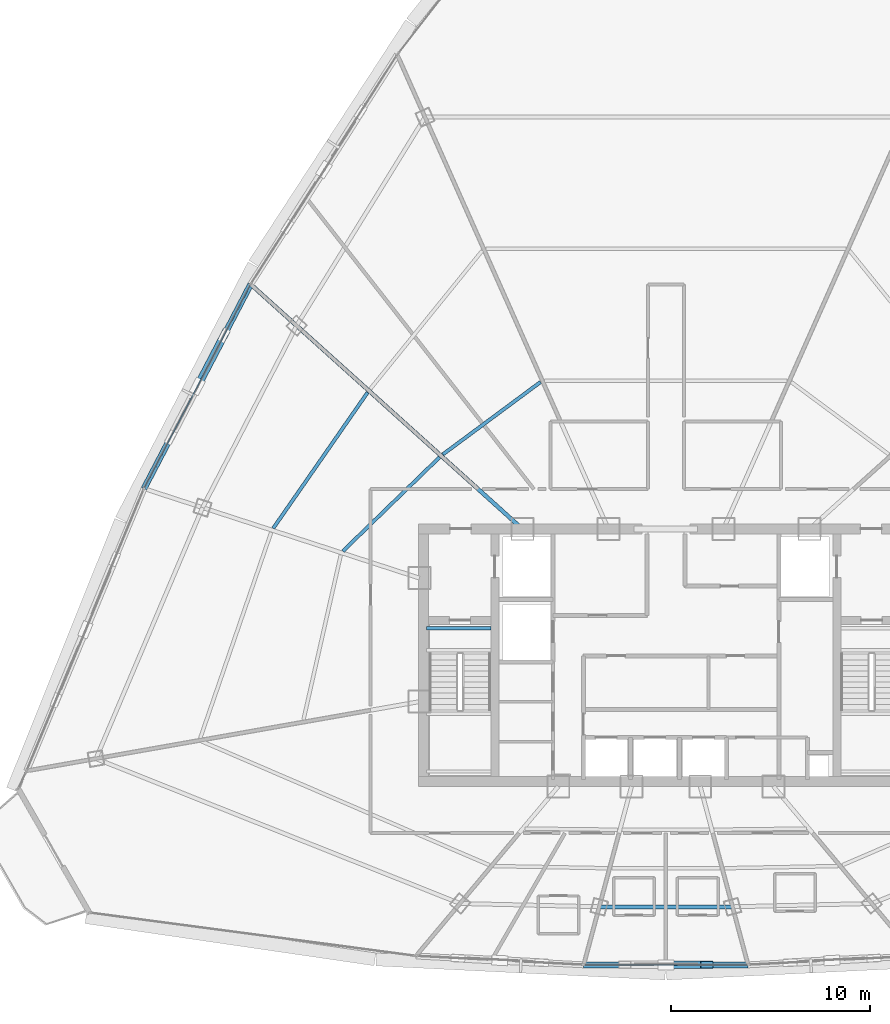
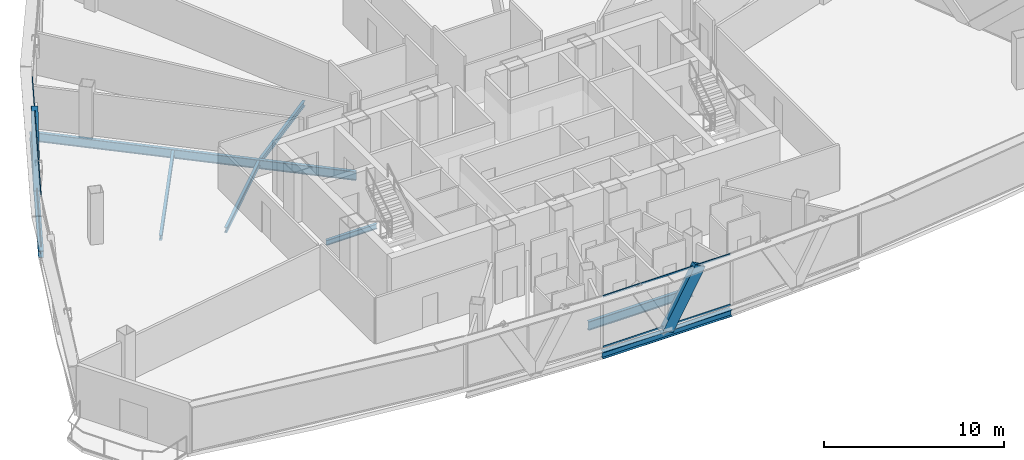
# One storey, part 9 of 37: 8 beams, 6 members, 2 elements without a shape of their own.
"""IFC4 building model written with IfcOpenShell, lengths in metres."""

from ifc_helpers import new_model, si_unit, direction, frame, origin, origin_2d, place, context, subcontext, project, spatial, hollow_rectangle, i_section, extrude, source, transform, mapped, material, layer, layer_set, material_profile, profile_set, type_object, element, aggregate, save


model = new_model("IFC4")

# Units and contexts
model_context = context("Model", 3, precision=1e-05, world=origin(), true_north=direction((0.0, 1.0)))
body_context = subcontext(model_context, "Body", "Model", "MODEL_VIEW")
ifc_project = project(units=[si_unit("LENGTHUNIT", "METRE"), si_unit("AREAUNIT", "SQUARE_METRE"), si_unit("VOLUMEUNIT", "CUBIC_METRE"), si_unit("PLANEANGLEUNIT", "RADIAN"), si_unit("MASSUNIT", "GRAM", prefix="KILO"), si_unit("THERMODYNAMICTEMPERATUREUNIT", "KELVIN"), si_unit("POWERUNIT", "WATT")], contexts=[model_context])

# Site, building, storey
site_placement = place(None, origin())
site = spatial("IfcSite", under=ifc_project, at=site_placement, CompositionType="ELEMENT")
building_placement = place(site_placement, origin())
building = spatial("IfcBuilding", under=site, at=building_placement, Name="Yunzhuo Pagoda Commons", CompositionType="ELEMENT")
storey_placement = place(building_placement, frame((0.0, 0.0, 281.2900390625)))
storey = spatial("IfcBuildingStorey", under=building, at=storey_placement, Name="L70", CompositionType="ELEMENT", Elevation=281.2900390625)

# Beams
ifc_material_1 = material(Name="Structural steel Q355B", Category="steel")
ifc_material_profile_1 = material_profile(ifc_material_1, i_section(OverallWidth=0.175048828125, OverallDepth=0.35009765625, WebThickness=0.007080078125, FlangeThickness=0.010986328125, at=origin_2d()), Name="Structural steel Q355B")
ifc_profile_set_1 = profile_set([ifc_material_profile_1], Name="Structural steel Q355B")
beam_type_1 = type_object("IfcBeamType", Name="B-JS2 Joist HN 350x175x7x11", PredefinedType="JOIST", material=ifc_profile_set_1)
shared_shape_1 = source(origin(), body_context, "Body", "SweptSolid", [
    extrude(i_section(OverallWidth=0.175048828125, OverallDepth=0.35009765625, WebThickness=0.007080078125, FlangeThickness=0.010986328125, at=origin_2d()), origin(), (0.0, 0.0, 1.0), 3.25),
])
beam_1_placement = place(storey_placement, frame((35.949951171875, 35.199951171875, -0.375), z_axis=(1.0, 0.0, 0.0), x_axis=(0.0, 1.0, 0.0)))
element("IfcBeam", 1, at=beam_1_placement, inside=storey, type_object=beam_type_1, Name="L70 ST1 landing support beam 174B", PredefinedType="JOIST", context=body_context, shape_type="MappedRepresentation", body=[
    mapped(shared_shape_1, transform((0.0, 0.0, 0.0), scale=1.0)),
])
ifc_material_profile_2 = material_profile(ifc_material_1, i_section(OverallWidth=0.300048828125, OverallDepth=0.43994140625, WebThickness=0.010986328125, FlangeThickness=0.01806640625, at=origin_2d()), Name="Structural steel Q355B")
ifc_profile_set_2 = profile_set([ifc_material_profile_2], Name="Structural steel Q355B")
beam_type_2 = type_object("IfcBeamType", Name="B-SP2 Beam HM 440x300x11x18", PredefinedType="BEAM", material=ifc_profile_set_2)
shared_shape_2 = source(origin(), body_context, "Body", "SweptSolid", [
    extrude(i_section(OverallWidth=0.300048828125, OverallDepth=0.43994140625, WebThickness=0.010986328125, FlangeThickness=0.01806640625, at=origin_2d()), origin(), (0.0, 0.0, 1.0), 8.26611328125),
])
beam_2_placement = place(storey_placement, frame((43.866943359375, 18.275390625, -0.47998046875), z_axis=(1.0, 0.0, 0.0), x_axis=(0.0, 1.0, 0.0)))
element("IfcBeam", 2, at=beam_2_placement, inside=storey, type_object=beam_type_2, Name="L70 facade edge spandrel beam F1.2", PredefinedType="BEAM", context=body_context, shape_type="MappedRepresentation", body=[
    mapped(shared_shape_2, transform((0.0, 0.0, 0.0), scale=1.0)),
])
shared_shape_3 = source(origin(), body_context, "Body", "SweptSolid", [
    extrude(i_section(OverallWidth=0.300048828125, OverallDepth=0.43994140625, WebThickness=0.010986328125, FlangeThickness=0.01806640625, at=origin_2d()), origin(), (0.0, 0.0, 1.0), 11.591064453125),
])
beam_3_placement = place(storey_placement, frame((27.117431640625, 52.5029296875, -0.47998046875), z_axis=(-0.462915805382, -0.886402254695, 0.0), x_axis=(0.886402254695, -0.462915805382, 0.0)))
element("IfcBeam", 3, at=beam_3_placement, inside=storey, type_object=beam_type_2, Name="L70 facade edge spandrel beam F3.2", PredefinedType="BEAM", context=body_context, shape_type="MappedRepresentation", body=[
    mapped(shared_shape_3, transform((0.0, 0.0, 0.0), scale=1.0)),
])
ifc_material_profile_3 = material_profile(ifc_material_1, i_section(OverallWidth=0.199951171875, OverallDepth=0.60009765625, WebThickness=0.010986328125, FlangeThickness=0.01708984375, at=origin_2d()), Name="Structural steel Q355B")
ifc_profile_set_3 = profile_set([ifc_material_profile_3], Name="Structural steel Q355B")
beam_type_3 = type_object("IfcBeamType", Name="B-RG3 Beam HN 600x200x11x17", PredefinedType="BEAM", material=ifc_profile_set_3)
shared_shape_4 = source(origin(), body_context, "Body", "SweptSolid", [
    extrude(i_section(OverallWidth=0.199951171875, OverallDepth=0.60009765625, WebThickness=0.010986328125, FlangeThickness=0.01708984375, at=origin_2d()), origin(), (0.0, 0.0, 1.0), 18.2314453125),
])
beam_4_placement = place(storey_placement, frame((27.232421875, 52.399169921875, -0.559814453125), z_axis=(0.743144309, -0.669131179964, 0.0), x_axis=(0.669131179964, 0.743144309, 0.0)))
element("IfcBeam", 4, at=beam_4_placement, inside=storey, type_object=beam_type_3, Name="L70 radial floor girder F3C2", PredefinedType="BEAM", context=body_context, shape_type="MappedRepresentation", body=[
    mapped(shared_shape_4, transform((0.0, 0.0, 0.0), scale=1.0)),
])
shared_shape_5 = source(origin(), body_context, "Body", "SweptSolid", [
    extrude(i_section(OverallWidth=0.199951171875, OverallDepth=0.60009765625, WebThickness=0.010986328125, FlangeThickness=0.01708984375, at=origin_2d()), origin(), (0.0, 0.0, 1.0), 6.701171875),
])
beam_5_placement = place(storey_placement, frame((44.6494140625, 21.195556640625, -0.559814453125), z_axis=(1.0, 0.0, 0.0), x_axis=(0.0, 1.0, 0.0)))
element("IfcBeam", 5, at=beam_5_placement, inside=storey, type_object=beam_type_3, Name="L70 column-ring beam 2", PredefinedType="BEAM", context=body_context, shape_type="MappedRepresentation", body=[
    mapped(shared_shape_5, transform((0.0, 0.0, 0.0), scale=1.0)),
])
shared_shape_6 = source(origin(), body_context, "Body", "SweptSolid", [
    extrude(i_section(OverallWidth=0.175048828125, OverallDepth=0.35009765625, WebThickness=0.007080078125, FlangeThickness=0.010986328125, at=origin_2d()), origin(), (0.0, 0.0, 1.0), 6.767333984375),
])
beam_6_placement = place(storey_placement, frame((36.611083984375, 43.80029296875, -0.434814453125), z_axis=(-0.717207253673, -0.696859925149, 0.0), x_axis=(0.696859925149, -0.717207253673, 0.0)))
element("IfcBeam", 6, at=beam_6_placement, inside=storey, type_object=beam_type_1, Name="L70 composite ring joist 1.10", PredefinedType="JOIST", context=body_context, shape_type="MappedRepresentation", body=[
    mapped(shared_shape_6, transform((0.0, 0.0, 0.0), scale=1.0)),
])
shared_shape_7 = source(origin(), body_context, "Body", "SweptSolid", [
    extrude(i_section(OverallWidth=0.175048828125, OverallDepth=0.35009765625, WebThickness=0.007080078125, FlangeThickness=0.010986328125, at=origin_2d()), origin(), (0.0, 0.0, 1.0), 8.31103515625),
])
beam_7_placement = place(storey_placement, frame((32.994384765625, 47.0576171875, -0.434814453125), z_axis=(-0.570615989364, -0.821217019236, 0.0), x_axis=(0.821217019236, -0.570615989364, 0.0)))
element("IfcBeam", 7, at=beam_7_placement, inside=storey, type_object=beam_type_1, Name="L70 composite ring joist 2.10", PredefinedType="JOIST", context=body_context, shape_type="MappedRepresentation", body=[
    mapped(shared_shape_7, transform((0.0, 0.0, 0.0), scale=1.0)),
])
shared_shape_8 = source(origin(), body_context, "Body", "SweptSolid", [
    extrude(i_section(OverallWidth=0.175048828125, OverallDepth=0.35009765625, WebThickness=0.007080078125, FlangeThickness=0.010986328125, at=origin_2d()), origin(), (0.0, 0.0, 1.0), 6.109619140625),
])
beam_8_placement = place(storey_placement, frame((41.6943359375, 47.5869140625, -0.434814453125), z_axis=(-0.803396474468, -0.595444459888, 0.0), x_axis=(0.595444459888, -0.803396474468, 0.0)))
element("IfcBeam", 8, at=beam_8_placement, inside=storey, type_object=beam_type_1, Name="L70 composite ring joist 1.9", PredefinedType="JOIST", context=body_context, shape_type="MappedRepresentation", body=[
    mapped(shared_shape_8, transform((0.0, 0.0, 0.0), scale=1.0)),
])

# Members
ifc_material_profile_4 = material_profile(ifc_material_1, hollow_rectangle(XDim=0.3798828125, YDim=0.719970703125, WallThickness=0.02001953125, at=origin_2d()), Name="Structural steel Q355B")
ifc_profile_set_4 = profile_set([ifc_material_profile_4], Name="Structural steel Q355B")
member_type_1 = type_object("IfcMemberType", Name="M-DL3 Brace BOX 720x380x20", PredefinedType="BRACE", material=ifc_profile_set_4)
shared_shape_9 = source(origin(), body_context, "Body", "SweptSolid", [
    extrude(hollow_rectangle(XDim=0.3798828125, YDim=0.719970703125, WallThickness=0.02001953125, at=origin_2d()), origin(), (0.0, 0.0, 1.0), 4.26416015625),
])
member_1_placement = place(storey_placement, frame((48.0, 18.275390625, -0.260009765625), z_axis=(0.4846022834, 0.0, 0.874734603708), x_axis=(0.0, 1.0, 0.0)))
element("IfcMember", 9, at=member_1_placement, inside=storey, type_object=member_type_1, Name="L70 facade diamond brace F1.2R", PredefinedType="BRACE", context=body_context, shape_type="MappedRepresentation", body=[
    mapped(shared_shape_9, transform((0.0, 0.0, 0.0), scale=1.0)),
])
shared_shape_10 = source(origin(), body_context, "Body", "SweptSolid", [
    extrude(hollow_rectangle(XDim=0.3798828125, YDim=0.719970703125, WallThickness=0.02001953125, at=origin_2d()), origin(), (0.0, 0.0, 1.0), 4.723388671875),
])
member_2_placement = place(storey_placement, frame((24.4345703125, 47.36572265625, -0.260009765625), z_axis=(0.283976852439, 0.543815155536, 0.78969755216), x_axis=(-0.886419539705, 0.462882706125, 0.0)))
element("IfcMember", 10, at=member_2_placement, inside=storey, type_object=member_type_1, Name="L70 facade diamond brace F3.2L", PredefinedType="BRACE", context=body_context, shape_type="MappedRepresentation", body=[
    mapped(shared_shape_10, transform((0.0, 0.0, 0.0), scale=1.0)),
])

# Curtain wall, members
ifc_material_2 = material(Name="Anodized aluminium 6063-T6", Category="aluminium")
ifc_layer = layer(ifc_material_2, 0.139892578125)
ifc_layer_set = layer_set([ifc_layer], Name="Anodized aluminium 6063-T6")
curtain_wall_type = type_object("IfcCurtainWallType", Name="CW-HI High-Zone Ribbon Curtain Wall", PredefinedType="NOTDEFINED", material=ifc_layer_set)
curtain_wall_1_placement = place(storey_placement, origin())
curtain_wall_1 = element("IfcCurtainWall", 11, at=curtain_wall_1_placement, inside=storey, type_object=curtain_wall_type, Name="L70 curtain wall CW-L70-F1B3", PredefinedType="NOTDEFINED")
ifc_material_profile_5 = material_profile(ifc_material_2, hollow_rectangle(XDim=0.054931640625, YDim=0.1201171875, WallThickness=0.00341796875, at=origin_2d()), Name="Anodized aluminium 6063-T6")
ifc_profile_set_5 = profile_set([ifc_material_profile_5], Name="Anodized aluminium 6063-T6")
member_type_2 = type_object("IfcMemberType", Name="CW-HI-T Transom RHS 120x55x3.5", PredefinedType="USERDEFINED", material=ifc_profile_set_5)
shared_shape_11 = source(origin(), body_context, "Body", "SweptSolid", [
    extrude(hollow_rectangle(XDim=0.054931640625, YDim=0.1201171875, WallThickness=0.00341796875, at=origin_2d()), origin(), (0.0, 0.0, 1.0), 8.14599609375),
])
member_3_placement = place(storey_placement, frame((43.927001953125, 18.275390625, 0.02734375), z_axis=(1.0, 0.0, 0.0), x_axis=(0.0, 1.0, 0.0)))
member_3 = element("IfcMember", 12, at=member_3_placement, type_object=member_type_2, Name="CW transom 1.1", ObjectType="TRANSOM", PredefinedType="USERDEFINED", context=body_context, shape_type="MappedRepresentation", body=[
    mapped(shared_shape_11, transform((0.0, 0.0, 0.0), scale=1.0)),
])
member_4_placement = place(storey_placement, frame((43.927001953125, 18.275390625, 3.4423828125), z_axis=(1.0, 0.0, 0.0), x_axis=(0.0, 1.0, 0.0)))
member_4 = element("IfcMember", 13, at=member_4_placement, type_object=member_type_2, Name="CW transom 1.2", ObjectType="TRANSOM", PredefinedType="USERDEFINED", context=body_context, shape_type="MappedRepresentation", body=[
    mapped(shared_shape_11, transform((0.0, 0.0, 0.0), scale=1.0)),
])
aggregate(curtain_wall_1, [member_3, member_4])

curtain_wall_2_placement = place(storey_placement, origin())
curtain_wall_2 = element("IfcCurtainWall", 14, at=curtain_wall_2_placement, inside=storey, type_object=curtain_wall_type, Name="L70 curtain wall CW-L70-F3B3", PredefinedType="NOTDEFINED")
shared_shape_12 = source(origin(), body_context, "Body", "SweptSolid", [
    extrude(hollow_rectangle(XDim=0.054931640625, YDim=0.1201171875, WallThickness=0.00341796875, at=origin_2d()), origin(), (0.0, 0.0, 1.0), 11.470947265625),
])
member_5_placement = place(storey_placement, frame((27.089599609375, 52.44970703125, 0.02734375), z_axis=(-0.462910741435, -0.886404899278, 0.0), x_axis=(0.886404899278, -0.462910741435, 0.0)))
member_5 = element("IfcMember", 15, at=member_5_placement, type_object=member_type_2, Name="CW transom 1.1", ObjectType="TRANSOM", PredefinedType="USERDEFINED", context=body_context, shape_type="MappedRepresentation", body=[
    mapped(shared_shape_12, transform((0.0, 0.0, 0.0), scale=1.0)),
])
member_6_placement = place(storey_placement, frame((27.089599609375, 52.44970703125, 3.4423828125), z_axis=(-0.462910741435, -0.886404899278, 0.0), x_axis=(0.886404899278, -0.462910741435, 0.0)))
member_6 = element("IfcMember", 16, at=member_6_placement, type_object=member_type_2, Name="CW transom 1.2", ObjectType="TRANSOM", PredefinedType="USERDEFINED", context=body_context, shape_type="MappedRepresentation", body=[
    mapped(shared_shape_12, transform((0.0, 0.0, 0.0), scale=1.0)),
])
aggregate(curtain_wall_2, [member_5, member_6])

save(model, "model.ifc")
